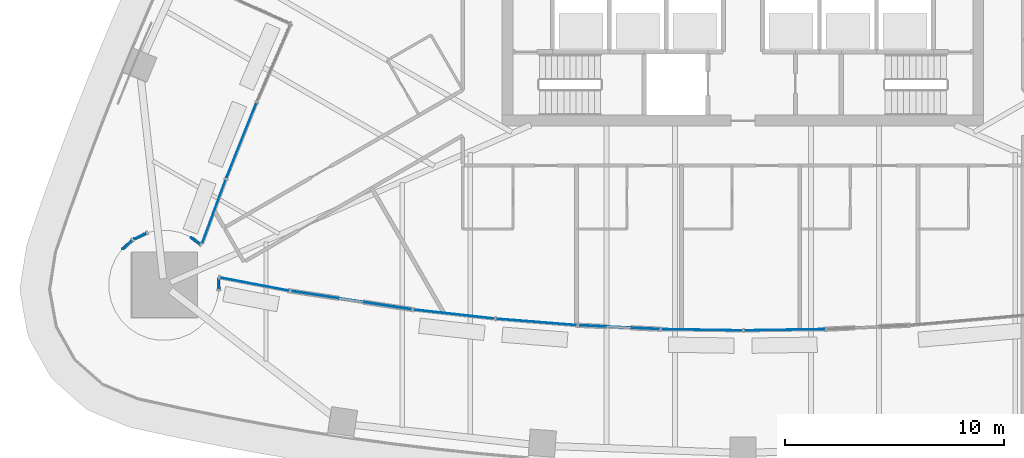
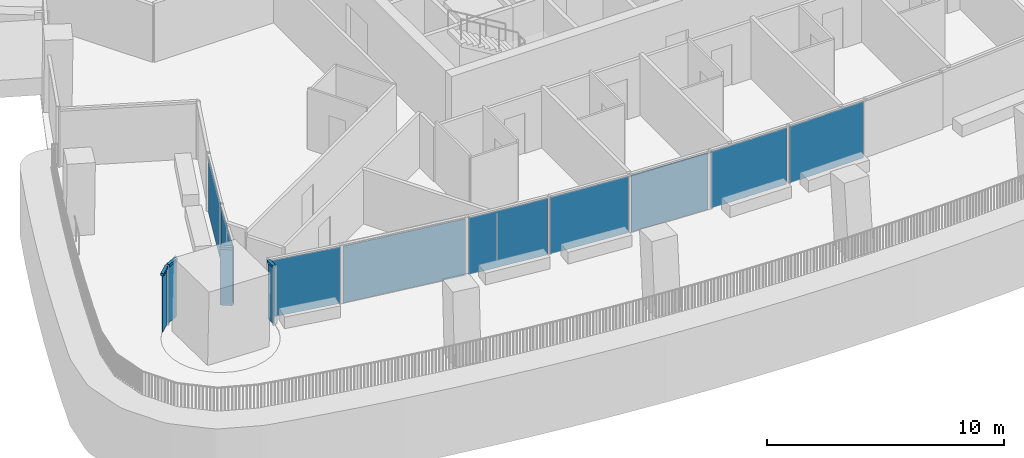
# One storey, part 8 of 22: 13 plates, 4 members, 13 elements without a shape of their own.
"""IFC4 building model written with IfcOpenShell, lengths in metres."""

from ifc_helpers import new_model, si_unit, direction, frame, origin, origin_2d, place, context, subcontext, project, spatial, rectangle, extrude, material, layer, layer_set, material_profile, profile_set, type_object, element, aggregate, save


model = new_model("IFC4")

# Units and contexts
model_context = context("Model", 3, precision=1e-05, world=origin(), true_north=direction((0.0, 1.0)))
body_context = subcontext(model_context, "Body", "Model", "MODEL_VIEW")
ifc_project = project(units=[si_unit("LENGTHUNIT", "METRE"), si_unit("AREAUNIT", "SQUARE_METRE"), si_unit("VOLUMEUNIT", "CUBIC_METRE"), si_unit("PLANEANGLEUNIT", "RADIAN"), si_unit("MASSUNIT", "GRAM", prefix="KILO")], contexts=[model_context])

# Site, building, storey
site_placement = place(None, origin())
site = spatial("IfcSite", under=ifc_project, at=site_placement, CompositionType="ELEMENT")
building_placement = place(site_placement, origin())
building = spatial("IfcBuilding", under=site, at=building_placement, Name="Sierra Prisma Convention Tower", CompositionType="ELEMENT")
storey_placement = place(building_placement, frame((0.0, 0.0, 73.89990234375)))
storey = spatial("IfcBuildingStorey", under=building, at=storey_placement, Name="L14", CompositionType="ELEMENT", Elevation=73.89990234375)

# Curtain wall, member
ifc_material_1 = material(Name="Aluminium and glass curtain wall", Category="aluminium")
ifc_layer_1 = layer(ifc_material_1, 0.179931640625)
ifc_layer_set_1 = layer_set([ifc_layer_1], Name="CW-6 Terrace recess curtain wall")
curtain_wall_type = type_object("IfcCurtainWallType", Name="CW-6 Terrace recess curtain wall", PredefinedType="NOTDEFINED", material=ifc_layer_set_1)
curtain_wall_1_placement = place(storey_placement, origin())
curtain_wall_1 = element("IfcCurtainWall", 1, at=curtain_wall_1_placement, inside=storey, type_object=curtain_wall_type, Name="CW-6 R4 L14", PredefinedType="NOTDEFINED")
ifc_material_2 = material(Name="Aluminium 6063-T6 bronze anodised", Category="aluminium")
ifc_material_profile = material_profile(ifc_material_2, rectangle(XDim=0.139892578125, YDim=0.1201171875, at=origin_2d()), Name="ALU TRANSOM 120x140")
ifc_profile_set = profile_set([ifc_material_profile], Name="Aluminium 6063-T6 bronze anodised")
member_type = type_object("IfcMemberType", Name="CW transom bronze", PredefinedType="USERDEFINED", material=ifc_profile_set)
member_1_placement = place(storey_placement, frame((-24.78515625, -13.39111328125, 2.97998046875), z_axis=(-0.810467577874, 0.585783496879, 0.0), x_axis=(-0.585783496879, -0.810467577874, 0.0)))
member_1 = element("IfcMember", 2, at=member_1_placement, type_object=member_type, Name="CW-6 transom R4.1", ObjectType="TRANSOM", PredefinedType="USERDEFINED", context=body_context, shape_type="SweptSolid", body=[
    extrude(rectangle(XDim=0.139892578125, YDim=0.1201171875, at=origin_2d()), origin(), (0.0, 0.0, 1.0), 0.517333984375),
])

curtain_wall_2_placement = place(storey_placement, origin())
curtain_wall_2 = element("IfcCurtainWall", 3, at=curtain_wall_2_placement, inside=storey, type_object=curtain_wall_type, Name="CW-6 R9 L14", PredefinedType="NOTDEFINED")
member_2_placement = place(storey_placement, frame((-27.244873046875, -12.887939453125, 2.97998046875), z_axis=(-0.904060827832, -0.427403813248, 0.0), x_axis=(0.427403813248, -0.904060827832, 0.0)))
member_2 = element("IfcMember", 4, at=member_2_placement, type_object=member_type, Name="CW-6 transom R9.1", ObjectType="TRANSOM", PredefinedType="USERDEFINED", context=body_context, shape_type="SweptSolid", body=[
    extrude(rectangle(XDim=0.139892578125, YDim=0.1201171875, at=origin_2d()), origin(), (0.0, 0.0, 1.0), 0.599853515625),
])

curtain_wall_3_placement = place(storey_placement, origin())
curtain_wall_3 = element("IfcCurtainWall", 5, at=curtain_wall_3_placement, inside=storey, type_object=curtain_wall_type, Name="CW-6 R10 L14", PredefinedType="NOTDEFINED")
member_3_placement = place(storey_placement, frame((-27.90234375, -13.221435546875, 2.97998046875), z_axis=(-0.741043899025, -0.671456580665, 0.0), x_axis=(0.671456580665, -0.741043899025, 0.0)))
member_3 = element("IfcMember", 6, at=member_3_placement, type_object=member_type, Name="CW-6 transom R10.1", ObjectType="TRANSOM", PredefinedType="USERDEFINED", context=body_context, shape_type="SweptSolid", body=[
    extrude(rectangle(XDim=0.139892578125, YDim=0.1201171875, at=origin_2d()), origin(), (0.0, 0.0, 1.0), 0.599853515625),
])

curtain_wall_4_placement = place(storey_placement, origin())
curtain_wall_4 = element("IfcCurtainWall", 7, at=curtain_wall_4_placement, inside=storey, type_object=curtain_wall_type, Name="CW-6 R30 L14", PredefinedType="NOTDEFINED")
member_4_placement = place(storey_placement, frame((-23.942626953125, -15.447998046875, 2.97998046875), z_axis=(-0.028765070496, 0.999586199744, 0.0), x_axis=(-0.999586199744, -0.028765070496, 0.0)))
member_4 = element("IfcMember", 8, at=member_4_placement, type_object=member_type, Name="CW-6 transom R30.1", ObjectType="TRANSOM", PredefinedType="USERDEFINED", context=body_context, shape_type="SweptSolid", body=[
    extrude(rectangle(XDim=0.139892578125, YDim=0.1201171875, at=origin_2d()), origin(), (0.0, 0.0, 1.0), 0.475341796875),
])

# Curtain wall, plate
curtain_wall_5_placement = place(storey_placement, origin())
curtain_wall_5 = element("IfcCurtainWall", 9, at=curtain_wall_5_placement, inside=storey, type_object=curtain_wall_type, Name="CW-6 R2 L14", PredefinedType="NOTDEFINED")
ifc_material_3 = material(Name="Tinted glass bronze-grey IGU", Category="glass")
ifc_layer_2 = layer(ifc_material_3, 0.028076171875)
ifc_layer_set_2 = layer_set([ifc_layer_2], Name="CW-6 glass panel")
plate_type = type_object("IfcPlateType", Name="CW-6 glass panel", PredefinedType="CURTAIN_PANEL", material=ifc_layer_set_2)
plate_1_placement = place(storey_placement, frame((-22.90185546875, -8.632080078125, 0.000244140625), z_axis=(0.0, 0.0, 1.0), x_axis=(-0.371704079644, -0.928351268204, 0.0)))
plate_1 = element("IfcPlate", 10, at=plate_1_placement, type_object=plate_type, Name="CW-6 panel R2.1", PredefinedType="CURTAIN_PANEL", context=body_context, shape_type="SweptSolid", body=[
    extrude(rectangle(XDim=3.644287109375, YDim=0.028076171875, at=origin_2d()), origin(), (0.0, 0.0, 1.0), 2.919921875),
])
aggregate(curtain_wall_5, [plate_1])

curtain_wall_6_placement = place(storey_placement, origin())
curtain_wall_6 = element("IfcCurtainWall", 11, at=curtain_wall_6_placement, inside=storey, type_object=curtain_wall_type, Name="CW-6 R3 L14", PredefinedType="NOTDEFINED")
plate_2_placement = place(storey_placement, frame((-24.166748046875, -11.910400390625, 0.000244140625), z_axis=(0.0, 0.0, 1.0), x_axis=(-0.346261390203, -0.938138076007, 0.0)))
plate_2 = element("IfcPlate", 12, at=plate_2_placement, type_object=plate_type, Name="CW-6 panel R3.1", PredefinedType="CURTAIN_PANEL", context=body_context, shape_type="SweptSolid", body=[
    extrude(rectangle(XDim=3.10400390625, YDim=0.028076171875, at=origin_2d()), origin(), (0.0, 0.0, 1.0), 2.919921875),
])
aggregate(curtain_wall_6, [plate_2])

# Plate
plate_3_placement = place(storey_placement, frame((-24.994873046875, -13.239501953125, 0.000244140625), z_axis=(0.0, 0.0, 1.0), x_axis=(-0.810524888047, 0.58570419655, 0.0)))
plate_3 = element("IfcPlate", 13, at=plate_3_placement, type_object=plate_type, Name="CW-6 panel R4.1", PredefinedType="CURTAIN_PANEL", context=body_context, shape_type="SweptSolid", body=[
    extrude(rectangle(XDim=0.517333984375, YDim=0.028076171875, at=origin_2d()), origin(), (0.0, 0.0, 1.0), 2.919921875),
])

aggregate(curtain_wall_1, [member_1, plate_3])

plate_4_placement = place(storey_placement, frame((-27.51611328125, -13.01611328125, 0.000244140625), z_axis=(0.0, 0.0, 1.0), x_axis=(-0.903989293123, -0.42755509343, 0.0)))
plate_4 = element("IfcPlate", 14, at=plate_4_placement, type_object=plate_type, Name="CW-6 panel R9.1", PredefinedType="CURTAIN_PANEL", context=body_context, shape_type="SweptSolid", body=[
    extrude(rectangle(XDim=0.599853515625, YDim=0.028076171875, at=origin_2d()), origin(), (0.0, 0.0, 1.0), 2.919921875),
])

aggregate(curtain_wall_2, [member_2, plate_4])

plate_5_placement = place(storey_placement, frame((-28.12451171875, -13.4228515625, 0.000244140625), z_axis=(0.0, 0.0, 1.0), x_axis=(-0.740951125355, -0.671558954847, 0.0)))
plate_5 = element("IfcPlate", 15, at=plate_5_placement, type_object=plate_type, Name="CW-6 panel R10.1", PredefinedType="CURTAIN_PANEL", context=body_context, shape_type="SweptSolid", body=[
    extrude(rectangle(XDim=0.599853515625, YDim=0.028076171875, at=origin_2d()), origin(), (0.0, 0.0, 1.0), 2.919921875),
])

aggregate(curtain_wall_3, [member_3, plate_5])

plate_6_placement = place(storey_placement, frame((-23.949462890625, -15.21044921875, 0.000244140625), z_axis=(0.0, 0.0, 1.0), x_axis=(-0.029093117348, 0.999576705672, 0.0)))
plate_6 = element("IfcPlate", 16, at=plate_6_placement, type_object=plate_type, Name="CW-6 panel R30.1", PredefinedType="CURTAIN_PANEL", context=body_context, shape_type="SweptSolid", body=[
    extrude(rectangle(XDim=0.47509765625, YDim=0.028076171875, at=origin_2d()), origin(), (0.0, 0.0, 1.0), 2.919921875),
])

aggregate(curtain_wall_4, [member_4, plate_6])

# Curtain wall, plate
curtain_wall_7_placement = place(storey_placement, origin())
curtain_wall_7 = element("IfcCurtainWall", 17, at=curtain_wall_7_placement, inside=storey, type_object=curtain_wall_type, Name="CW-6 R31 L14", PredefinedType="NOTDEFINED")
plate_7_placement = place(storey_placement, frame((-22.33203125, -15.214111328125, 0.000244140625), z_axis=(0.0, 0.0, 1.0), x_axis=(0.982178715585, -0.187949383217, 0.0)))
plate_7 = element("IfcPlate", 18, at=plate_7_placement, type_object=plate_type, Name="CW-6 panel R31.1", PredefinedType="CURTAIN_PANEL", context=body_context, shape_type="SweptSolid", body=[
    extrude(rectangle(XDim=3.171630859375, YDim=0.028076171875, at=origin_2d()), origin(), (0.0, 0.0, 1.0), 2.919921875),
])
aggregate(curtain_wall_7, [plate_7])

curtain_wall_8_placement = place(storey_placement, origin())
curtain_wall_8 = element("IfcCurtainWall", 19, at=curtain_wall_8_placement, inside=storey, type_object=curtain_wall_type, Name="CW-6 R32 L14", PredefinedType="NOTDEFINED")
plate_8_placement = place(storey_placement, frame((-17.900390625, -15.950927734375, 0.000244140625), z_axis=(0.0, 0.0, 1.0), x_axis=(0.988684567236, -0.150009421404, 0.0)))
plate_8 = element("IfcPlate", 20, at=plate_8_placement, type_object=plate_type, Name="CW-6 panel R32.1", PredefinedType="CURTAIN_PANEL", context=body_context, shape_type="SweptSolid", body=[
    extrude(rectangle(XDim=5.53515625, YDim=0.028076171875, at=origin_2d()), origin(), (0.0, 0.0, 1.0), 2.919921875),
])
aggregate(curtain_wall_8, [plate_8])

curtain_wall_9_placement = place(storey_placement, origin())
curtain_wall_9 = element("IfcCurtainWall", 21, at=curtain_wall_9_placement, inside=storey, type_object=curtain_wall_type, Name="CW-6 R33 L14", PredefinedType="NOTDEFINED")
plate_9_placement = place(storey_placement, frame((-13.214599609375, -16.586181640625, 0.000244140625), z_axis=(0.0, 0.0, 1.0), x_axis=(0.993851131462, -0.110724561376, 0.0)))
plate_9 = element("IfcPlate", 22, at=plate_9_placement, type_object=plate_type, Name="CW-6 panel R33.1", PredefinedType="CURTAIN_PANEL", context=body_context, shape_type="SweptSolid", body=[
    extrude(rectangle(XDim=3.6435546875, YDim=0.028076171875, at=origin_2d()), origin(), (0.0, 0.0, 1.0), 2.919921875),
])
aggregate(curtain_wall_9, [plate_9])

curtain_wall_10_placement = place(storey_placement, origin())
curtain_wall_10 = element("IfcCurtainWall", 23, at=curtain_wall_10_placement, inside=storey, type_object=curtain_wall_type, Name="CW-6 R34 L14", PredefinedType="NOTDEFINED")
plate_10_placement = place(storey_placement, frame((-9.448486328125, -16.9453125, 0.000244140625), z_axis=(0.0, 0.0, 1.0), x_axis=(0.996861245216, -0.079168540381, 0.0)))
plate_10 = element("IfcPlate", 24, at=plate_10_placement, type_object=plate_type, Name="CW-6 panel R34.1", PredefinedType="CURTAIN_PANEL", context=body_context, shape_type="SweptSolid", body=[
    extrude(rectangle(XDim=3.6435546875, YDim=0.028076171875, at=origin_2d()), origin(), (0.0, 0.0, 1.0), 2.919921875),
])
aggregate(curtain_wall_10, [plate_10])

curtain_wall_11_placement = place(storey_placement, origin())
curtain_wall_11 = element("IfcCurtainWall", 25, at=curtain_wall_11_placement, inside=storey, type_object=curtain_wall_type, Name="CW-6 R35 L14", PredefinedType="NOTDEFINED")
plate_11_placement = place(storey_placement, frame((-5.6728515625, -17.18505859375, 0.000244140625), z_axis=(0.0, 0.0, 1.0), x_axis=(0.998869669681, -0.047532967413, 0.0)))
plate_11 = element("IfcPlate", 26, at=plate_11_placement, type_object=plate_type, Name="CW-6 panel R35.1", PredefinedType="CURTAIN_PANEL", context=body_context, shape_type="SweptSolid", body=[
    extrude(rectangle(XDim=3.6435546875, YDim=0.028076171875, at=origin_2d()), origin(), (0.0, 0.0, 1.0), 2.919921875),
])
aggregate(curtain_wall_11, [plate_11])

curtain_wall_12_placement = place(storey_placement, origin())
curtain_wall_12 = element("IfcCurtainWall", 27, at=curtain_wall_12_placement, inside=storey, type_object=curtain_wall_type, Name="CW-6 R36 L14", PredefinedType="NOTDEFINED")
plate_12_placement = place(storey_placement, frame((-1.8916015625, -17.304931640625, 0.000244140625), z_axis=(0.0, 0.0, 1.0), x_axis=(0.999874386705, -0.015849631263, 0.0)))
plate_12 = element("IfcPlate", 28, at=plate_12_placement, type_object=plate_type, Name="CW-6 panel R36.1", PredefinedType="CURTAIN_PANEL", context=body_context, shape_type="SweptSolid", body=[
    extrude(rectangle(XDim=3.6435546875, YDim=0.028076171875, at=origin_2d()), origin(), (0.0, 0.0, 1.0), 2.919921875),
])
aggregate(curtain_wall_12, [plate_12])

curtain_wall_13_placement = place(storey_placement, origin())
curtain_wall_13 = element("IfcCurtainWall", 29, at=curtain_wall_13_placement, inside=storey, type_object=curtain_wall_type, Name="CW-6 R37 L14", PredefinedType="NOTDEFINED")
plate_13_placement = place(storey_placement, frame((1.8916015625, -17.304931640625, 0.000244140625), z_axis=(0.0, 0.0, 1.0), x_axis=(0.999874386705, 0.015849631263, 0.0)))
plate_13 = element("IfcPlate", 30, at=plate_13_placement, type_object=plate_type, Name="CW-6 panel R37.1", PredefinedType="CURTAIN_PANEL", context=body_context, shape_type="SweptSolid", body=[
    extrude(rectangle(XDim=3.6435546875, YDim=0.028076171875, at=origin_2d()), origin(), (0.0, 0.0, 1.0), 2.919921875),
])
aggregate(curtain_wall_13, [plate_13])

save(model, "model.ifc")
